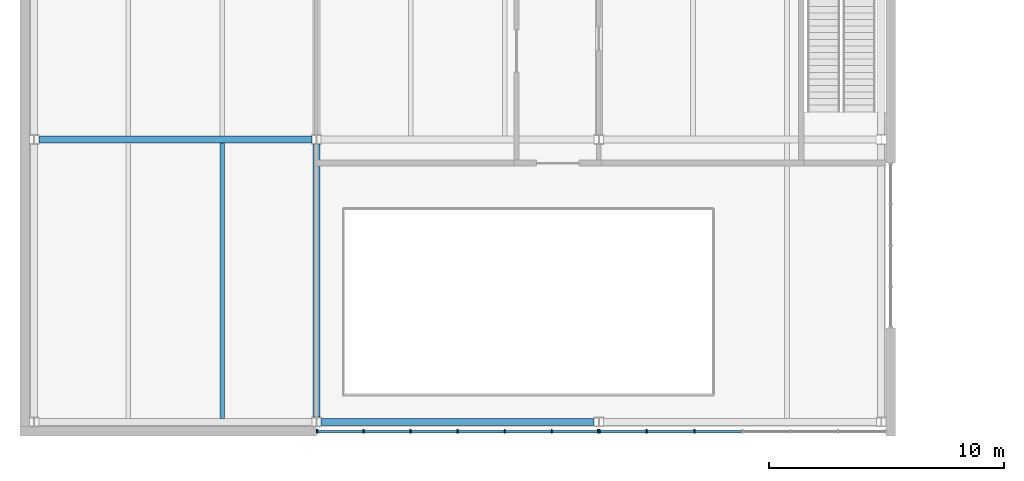
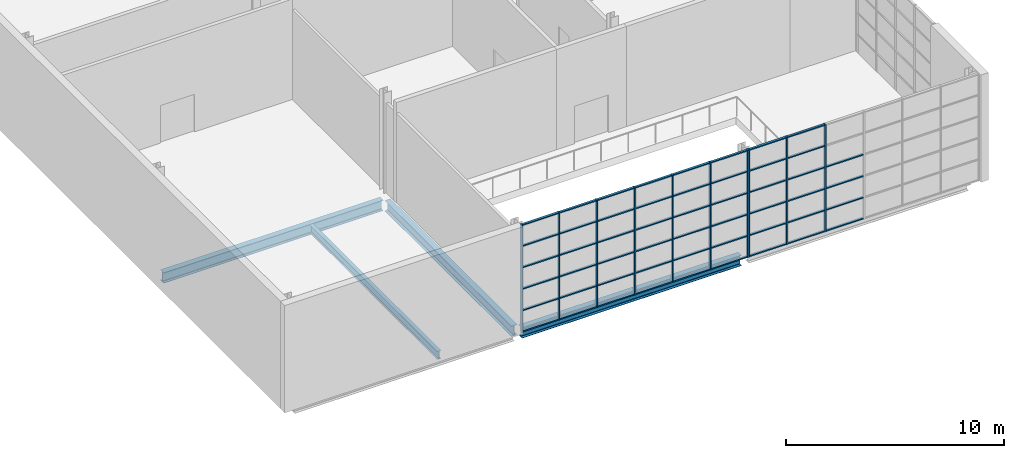
# One storey, part 7 of 30: 62 members, 4 beams, 2 elements without a shape of their own.
"""IFC4 building model written with IfcOpenShell, lengths in metres."""

from ifc_helpers import new_model, si_unit, direction, frame, origin, origin_2d, place, context, subcontext, project, spatial, rectangle, i_section, extrude, material, layer, layer_set, material_profile, profile_set, type_object, element, aggregate, save


model = new_model("IFC4")

# Units and contexts
model_context = context("Model", 3, precision=1e-05, world=origin(), true_north=direction((0.0, 1.0)))
body_context = subcontext(model_context, "Body", "Model", "MODEL_VIEW")
ifc_project = project(units=[si_unit("LENGTHUNIT", "METRE"), si_unit("AREAUNIT", "SQUARE_METRE"), si_unit("VOLUMEUNIT", "CUBIC_METRE"), si_unit("PLANEANGLEUNIT", "RADIAN"), si_unit("MASSUNIT", "GRAM", prefix="KILO")], contexts=[model_context])

# Site, building, storey
site_placement = place(None, origin())
site = spatial("IfcSite", under=ifc_project, at=site_placement, CompositionType="ELEMENT")
building_placement = place(site_placement, origin())
building = spatial("IfcBuilding", under=site, at=building_placement, Name="Kitamizu Gate Tower and Museum", CompositionType="ELEMENT")
storey_placement = place(building_placement, frame((0.0, 0.0, 6.0)))
storey = spatial("IfcBuildingStorey", under=building, at=storey_placement, Name="L01", CompositionType="ELEMENT", Elevation=6.0)

# Curtain wall, members
ifc_material_1 = material(Name="Bronze anodised aluminium frame, tinted triple glazing", Category="aluminium")
ifc_layer = layer(ifc_material_1, 0.39990234375)
ifc_layer_set = layer_set([ifc_layer], Name="Bronze anodised aluminium frame, tinted triple glazing")
curtain_wall_type = type_object("IfcCurtainWallType", Name="Museum atrium curtain wall D", PredefinedType="NOTDEFINED", material=ifc_layer_set)
curtain_wall_1_placement = place(storey_placement, origin())
curtain_wall_1 = element("IfcCurtainWall", 1, at=curtain_wall_1_placement, inside=storey, type_object=curtain_wall_type, Name="Atrium curtain wall Sm14mm2", PredefinedType="NOTDEFINED")
ifc_material_2 = material(Name="Bronze anodised aluminium", Category="aluminium")
ifc_material_profile_1 = material_profile(ifc_material_2, rectangle(XDim=0.06005859375, YDim=0.159912109375, at=origin_2d()), Name="60x160")
ifc_profile_set_1 = profile_set([ifc_material_profile_1], Name="Bronze anodised aluminium")
member_type_1 = type_object("IfcMemberType", Name="Museum curtain wall mullion 60x160", PredefinedType="MULLION", material=ifc_profile_set_1)
member_1_placement = place(storey_placement, frame((-13.969970703125, -26.39990234375, -0.39990234375), z_axis=(0.0, 0.0, 1.0), x_axis=(1.0, 0.0, 0.0)))
member_1 = element("IfcMember", 2, at=member_1_placement, type_object=member_type_1, Name="CW-D mullion 1", PredefinedType="MULLION", context=body_context, shape_type="SweptSolid", body=[
    extrude(rectangle(XDim=0.06005859375, YDim=0.159912109375, at=origin_2d()), origin(), (0.0, 0.0, 1.0), 6.0),
])
member_2_placement = place(storey_placement, frame((-12.0, -26.39990234375, -0.39990234375), z_axis=(0.0, 0.0, 1.0), x_axis=(1.0, 0.0, 0.0)))
member_2 = element("IfcMember", 3, at=member_2_placement, type_object=member_type_1, Name="CW-D mullion 2", PredefinedType="MULLION", context=body_context, shape_type="SweptSolid", body=[
    extrude(rectangle(XDim=0.06005859375, YDim=0.159912109375, at=origin_2d()), origin(), (0.0, 0.0, 1.0), 6.0),
])
member_3_placement = place(storey_placement, frame((-10.0, -26.39990234375, -0.39990234375), z_axis=(0.0, 0.0, 1.0), x_axis=(1.0, 0.0, 0.0)))
member_3 = element("IfcMember", 4, at=member_3_placement, type_object=member_type_1, Name="CW-D mullion 3", PredefinedType="MULLION", context=body_context, shape_type="SweptSolid", body=[
    extrude(rectangle(XDim=0.06005859375, YDim=0.159912109375, at=origin_2d()), origin(), (0.0, 0.0, 1.0), 6.0),
])
member_4_placement = place(storey_placement, frame((-8.0, -26.39990234375, -0.39990234375), z_axis=(0.0, 0.0, 1.0), x_axis=(1.0, 0.0, 0.0)))
member_4 = element("IfcMember", 5, at=member_4_placement, type_object=member_type_1, Name="CW-D mullion 4", PredefinedType="MULLION", context=body_context, shape_type="SweptSolid", body=[
    extrude(rectangle(XDim=0.06005859375, YDim=0.159912109375, at=origin_2d()), origin(), (0.0, 0.0, 1.0), 6.0),
])
member_5_placement = place(storey_placement, frame((-6.0, -26.39990234375, -0.39990234375), z_axis=(0.0, 0.0, 1.0), x_axis=(1.0, 0.0, 0.0)))
member_5 = element("IfcMember", 6, at=member_5_placement, type_object=member_type_1, Name="CW-D mullion 5", PredefinedType="MULLION", context=body_context, shape_type="SweptSolid", body=[
    extrude(rectangle(XDim=0.06005859375, YDim=0.159912109375, at=origin_2d()), origin(), (0.0, 0.0, 1.0), 6.0),
])
member_6_placement = place(storey_placement, frame((-4.0, -26.39990234375, -0.39990234375), z_axis=(0.0, 0.0, 1.0), x_axis=(1.0, 0.0, 0.0)))
member_6 = element("IfcMember", 7, at=member_6_placement, type_object=member_type_1, Name="CW-D mullion 6", PredefinedType="MULLION", context=body_context, shape_type="SweptSolid", body=[
    extrude(rectangle(XDim=0.06005859375, YDim=0.159912109375, at=origin_2d()), origin(), (0.0, 0.0, 1.0), 6.0),
])
member_7_placement = place(storey_placement, frame((-2.030029296875, -26.39990234375, -0.39990234375), z_axis=(0.0, 0.0, 1.0), x_axis=(1.0, 0.0, 0.0)))
member_7 = element("IfcMember", 8, at=member_7_placement, type_object=member_type_1, Name="CW-D mullion 7", PredefinedType="MULLION", context=body_context, shape_type="SweptSolid", body=[
    extrude(rectangle(XDim=0.06005859375, YDim=0.159912109375, at=origin_2d()), origin(), (0.0, 0.0, 1.0), 6.0),
])

curtain_wall_2_placement = place(storey_placement, origin())
curtain_wall_2 = element("IfcCurtainWall", 9, at=curtain_wall_2_placement, inside=storey, type_object=curtain_wall_type, Name="Atrium curtain wall Sm2m10.2", PredefinedType="NOTDEFINED")
member_8_placement = place(storey_placement, frame((-1.969970703125, -26.39990234375, -0.39990234375), z_axis=(0.0, 0.0, 1.0), x_axis=(1.0, 0.0, 0.0)))
member_8 = element("IfcMember", 10, at=member_8_placement, type_object=member_type_1, Name="CW-D mullion 1", PredefinedType="MULLION", context=body_context, shape_type="SweptSolid", body=[
    extrude(rectangle(XDim=0.06005859375, YDim=0.159912109375, at=origin_2d()), origin(), (0.0, 0.0, 1.0), 6.0),
])
member_9_placement = place(storey_placement, frame((0.033447265625, -26.39990234375, -0.39990234375), z_axis=(0.0, 0.0, 1.0), x_axis=(1.0, 0.0, 0.0)))
member_9 = element("IfcMember", 11, at=member_9_placement, type_object=member_type_1, Name="CW-D mullion 2", PredefinedType="MULLION", context=body_context, shape_type="SweptSolid", body=[
    extrude(rectangle(XDim=0.06005859375, YDim=0.159912109375, at=origin_2d()), origin(), (0.0, 0.0, 1.0), 6.0),
])
member_10_placement = place(storey_placement, frame((2.066650390625, -26.39990234375, -0.39990234375), z_axis=(0.0, 0.0, 1.0), x_axis=(1.0, 0.0, 0.0)))
member_10 = element("IfcMember", 12, at=member_10_placement, type_object=member_type_1, Name="CW-D mullion 3", PredefinedType="MULLION", context=body_context, shape_type="SweptSolid", body=[
    extrude(rectangle(XDim=0.06005859375, YDim=0.159912109375, at=origin_2d()), origin(), (0.0, 0.0, 1.0), 6.0),
])

# Member
ifc_material_3 = material(Name="Bronze anodised aluminium", Category="aluminium")
ifc_material_profile_2 = material_profile(ifc_material_3, rectangle(XDim=0.1201171875, YDim=0.06005859375, at=origin_2d()), Name="120x60")
ifc_profile_set_2 = profile_set([ifc_material_profile_2], Name="Bronze anodised aluminium")
member_type_2 = type_object("IfcMemberType", Name="Museum curtain wall transom 60x120", PredefinedType="USERDEFINED", material=ifc_profile_set_2)
member_11_placement = place(storey_placement, frame((-13.93994140625, -26.39990234375, -0.3701171875), z_axis=(1.0, 0.0, 0.0), x_axis=(0.0, 1.0, 0.0)))
member_11 = element("IfcMember", 13, at=member_11_placement, type_object=member_type_2, Name="CW-D transom 1.1", ObjectType="TRANSOM", PredefinedType="USERDEFINED", context=body_context, shape_type="SweptSolid", body=[
    extrude(rectangle(XDim=0.1201171875, YDim=0.06005859375, at=origin_2d()), origin(), (0.0, 0.0, 1.0), 1.909912109375),
])

member_12_placement = place(storey_placement, frame((-13.93994140625, -26.39990234375, 0.800048828125), z_axis=(1.0, 0.0, 0.0), x_axis=(0.0, 1.0, 0.0)))
member_12 = element("IfcMember", 14, at=member_12_placement, type_object=member_type_2, Name="CW-D transom 1.2", ObjectType="TRANSOM", PredefinedType="USERDEFINED", context=body_context, shape_type="SweptSolid", body=[
    extrude(rectangle(XDim=0.1201171875, YDim=0.06005859375, at=origin_2d()), origin(), (0.0, 0.0, 1.0), 1.909912109375),
])

member_13_placement = place(storey_placement, frame((-13.93994140625, -26.39990234375, 2.0), z_axis=(1.0, 0.0, 0.0), x_axis=(0.0, 1.0, 0.0)))
member_13 = element("IfcMember", 15, at=member_13_placement, type_object=member_type_2, Name="CW-D transom 1.3", ObjectType="TRANSOM", PredefinedType="USERDEFINED", context=body_context, shape_type="SweptSolid", body=[
    extrude(rectangle(XDim=0.1201171875, YDim=0.06005859375, at=origin_2d()), origin(), (0.0, 0.0, 1.0), 1.909912109375),
])

member_14_placement = place(storey_placement, frame((-13.93994140625, -26.39990234375, 3.199951171875), z_axis=(1.0, 0.0, 0.0), x_axis=(0.0, 1.0, 0.0)))
member_14 = element("IfcMember", 16, at=member_14_placement, type_object=member_type_2, Name="CW-D transom 1.4", ObjectType="TRANSOM", PredefinedType="USERDEFINED", context=body_context, shape_type="SweptSolid", body=[
    extrude(rectangle(XDim=0.1201171875, YDim=0.06005859375, at=origin_2d()), origin(), (0.0, 0.0, 1.0), 1.909912109375),
])

member_15_placement = place(storey_placement, frame((-13.93994140625, -26.39990234375, 4.39990234375), z_axis=(1.0, 0.0, 0.0), x_axis=(0.0, 1.0, 0.0)))
member_15 = element("IfcMember", 17, at=member_15_placement, type_object=member_type_2, Name="CW-D transom 1.5", ObjectType="TRANSOM", PredefinedType="USERDEFINED", context=body_context, shape_type="SweptSolid", body=[
    extrude(rectangle(XDim=0.1201171875, YDim=0.06005859375, at=origin_2d()), origin(), (0.0, 0.0, 1.0), 1.909912109375),
])

member_16_placement = place(storey_placement, frame((-13.93994140625, -26.39990234375, 5.570068359375), z_axis=(1.0, 0.0, 0.0), x_axis=(0.0, 1.0, 0.0)))
member_16 = element("IfcMember", 18, at=member_16_placement, type_object=member_type_2, Name="CW-D transom 1.6", ObjectType="TRANSOM", PredefinedType="USERDEFINED", context=body_context, shape_type="SweptSolid", body=[
    extrude(rectangle(XDim=0.1201171875, YDim=0.06005859375, at=origin_2d()), origin(), (0.0, 0.0, 1.0), 1.909912109375),
])

member_17_placement = place(storey_placement, frame((-11.969970703125, -26.39990234375, -0.3701171875), z_axis=(1.0, 0.0, 0.0), x_axis=(0.0, 1.0, 0.0)))
member_17 = element("IfcMember", 19, at=member_17_placement, type_object=member_type_2, Name="CW-D transom 2.1", ObjectType="TRANSOM", PredefinedType="USERDEFINED", context=body_context, shape_type="SweptSolid", body=[
    extrude(rectangle(XDim=0.1201171875, YDim=0.06005859375, at=origin_2d()), origin(), (0.0, 0.0, 1.0), 1.93994140625),
])

member_18_placement = place(storey_placement, frame((-11.969970703125, -26.39990234375, 0.800048828125), z_axis=(1.0, 0.0, 0.0), x_axis=(0.0, 1.0, 0.0)))
member_18 = element("IfcMember", 20, at=member_18_placement, type_object=member_type_2, Name="CW-D transom 2.2", ObjectType="TRANSOM", PredefinedType="USERDEFINED", context=body_context, shape_type="SweptSolid", body=[
    extrude(rectangle(XDim=0.1201171875, YDim=0.06005859375, at=origin_2d()), origin(), (0.0, 0.0, 1.0), 1.93994140625),
])

member_19_placement = place(storey_placement, frame((-11.969970703125, -26.39990234375, 2.0), z_axis=(1.0, 0.0, 0.0), x_axis=(0.0, 1.0, 0.0)))
member_19 = element("IfcMember", 21, at=member_19_placement, type_object=member_type_2, Name="CW-D transom 2.3", ObjectType="TRANSOM", PredefinedType="USERDEFINED", context=body_context, shape_type="SweptSolid", body=[
    extrude(rectangle(XDim=0.1201171875, YDim=0.06005859375, at=origin_2d()), origin(), (0.0, 0.0, 1.0), 1.93994140625),
])

member_20_placement = place(storey_placement, frame((-11.969970703125, -26.39990234375, 3.199951171875), z_axis=(1.0, 0.0, 0.0), x_axis=(0.0, 1.0, 0.0)))
member_20 = element("IfcMember", 22, at=member_20_placement, type_object=member_type_2, Name="CW-D transom 2.4", ObjectType="TRANSOM", PredefinedType="USERDEFINED", context=body_context, shape_type="SweptSolid", body=[
    extrude(rectangle(XDim=0.1201171875, YDim=0.06005859375, at=origin_2d()), origin(), (0.0, 0.0, 1.0), 1.93994140625),
])

member_21_placement = place(storey_placement, frame((-11.969970703125, -26.39990234375, 4.39990234375), z_axis=(1.0, 0.0, 0.0), x_axis=(0.0, 1.0, 0.0)))
member_21 = element("IfcMember", 23, at=member_21_placement, type_object=member_type_2, Name="CW-D transom 2.5", ObjectType="TRANSOM", PredefinedType="USERDEFINED", context=body_context, shape_type="SweptSolid", body=[
    extrude(rectangle(XDim=0.1201171875, YDim=0.06005859375, at=origin_2d()), origin(), (0.0, 0.0, 1.0), 1.93994140625),
])

member_22_placement = place(storey_placement, frame((-11.969970703125, -26.39990234375, 5.570068359375), z_axis=(1.0, 0.0, 0.0), x_axis=(0.0, 1.0, 0.0)))
member_22 = element("IfcMember", 24, at=member_22_placement, type_object=member_type_2, Name="CW-D transom 2.6", ObjectType="TRANSOM", PredefinedType="USERDEFINED", context=body_context, shape_type="SweptSolid", body=[
    extrude(rectangle(XDim=0.1201171875, YDim=0.06005859375, at=origin_2d()), origin(), (0.0, 0.0, 1.0), 1.93994140625),
])

member_23_placement = place(storey_placement, frame((-9.969970703125, -26.39990234375, -0.3701171875), z_axis=(1.0, 0.0, 0.0), x_axis=(0.0, 1.0, 0.0)))
member_23 = element("IfcMember", 25, at=member_23_placement, type_object=member_type_2, Name="CW-D transom 3.1", ObjectType="TRANSOM", PredefinedType="USERDEFINED", context=body_context, shape_type="SweptSolid", body=[
    extrude(rectangle(XDim=0.1201171875, YDim=0.06005859375, at=origin_2d()), origin(), (0.0, 0.0, 1.0), 1.93994140625),
])

member_24_placement = place(storey_placement, frame((-9.969970703125, -26.39990234375, 0.800048828125), z_axis=(1.0, 0.0, 0.0), x_axis=(0.0, 1.0, 0.0)))
member_24 = element("IfcMember", 26, at=member_24_placement, type_object=member_type_2, Name="CW-D transom 3.2", ObjectType="TRANSOM", PredefinedType="USERDEFINED", context=body_context, shape_type="SweptSolid", body=[
    extrude(rectangle(XDim=0.1201171875, YDim=0.06005859375, at=origin_2d()), origin(), (0.0, 0.0, 1.0), 1.93994140625),
])

member_25_placement = place(storey_placement, frame((-9.969970703125, -26.39990234375, 2.0), z_axis=(1.0, 0.0, 0.0), x_axis=(0.0, 1.0, 0.0)))
member_25 = element("IfcMember", 27, at=member_25_placement, type_object=member_type_2, Name="CW-D transom 3.3", ObjectType="TRANSOM", PredefinedType="USERDEFINED", context=body_context, shape_type="SweptSolid", body=[
    extrude(rectangle(XDim=0.1201171875, YDim=0.06005859375, at=origin_2d()), origin(), (0.0, 0.0, 1.0), 1.93994140625),
])

member_26_placement = place(storey_placement, frame((-9.969970703125, -26.39990234375, 3.199951171875), z_axis=(1.0, 0.0, 0.0), x_axis=(0.0, 1.0, 0.0)))
member_26 = element("IfcMember", 28, at=member_26_placement, type_object=member_type_2, Name="CW-D transom 3.4", ObjectType="TRANSOM", PredefinedType="USERDEFINED", context=body_context, shape_type="SweptSolid", body=[
    extrude(rectangle(XDim=0.1201171875, YDim=0.06005859375, at=origin_2d()), origin(), (0.0, 0.0, 1.0), 1.93994140625),
])

member_27_placement = place(storey_placement, frame((-9.969970703125, -26.39990234375, 4.39990234375), z_axis=(1.0, 0.0, 0.0), x_axis=(0.0, 1.0, 0.0)))
member_27 = element("IfcMember", 29, at=member_27_placement, type_object=member_type_2, Name="CW-D transom 3.5", ObjectType="TRANSOM", PredefinedType="USERDEFINED", context=body_context, shape_type="SweptSolid", body=[
    extrude(rectangle(XDim=0.1201171875, YDim=0.06005859375, at=origin_2d()), origin(), (0.0, 0.0, 1.0), 1.93994140625),
])

member_28_placement = place(storey_placement, frame((-9.969970703125, -26.39990234375, 5.570068359375), z_axis=(1.0, 0.0, 0.0), x_axis=(0.0, 1.0, 0.0)))
member_28 = element("IfcMember", 30, at=member_28_placement, type_object=member_type_2, Name="CW-D transom 3.6", ObjectType="TRANSOM", PredefinedType="USERDEFINED", context=body_context, shape_type="SweptSolid", body=[
    extrude(rectangle(XDim=0.1201171875, YDim=0.06005859375, at=origin_2d()), origin(), (0.0, 0.0, 1.0), 1.93994140625),
])

member_29_placement = place(storey_placement, frame((-7.969970703125, -26.39990234375, -0.3701171875), z_axis=(1.0, 0.0, 0.0), x_axis=(0.0, 1.0, 0.0)))
member_29 = element("IfcMember", 31, at=member_29_placement, type_object=member_type_2, Name="CW-D transom 4.1", ObjectType="TRANSOM", PredefinedType="USERDEFINED", context=body_context, shape_type="SweptSolid", body=[
    extrude(rectangle(XDim=0.1201171875, YDim=0.06005859375, at=origin_2d()), origin(), (0.0, 0.0, 1.0), 1.93994140625),
])

member_30_placement = place(storey_placement, frame((-7.969970703125, -26.39990234375, 0.800048828125), z_axis=(1.0, 0.0, 0.0), x_axis=(0.0, 1.0, 0.0)))
member_30 = element("IfcMember", 32, at=member_30_placement, type_object=member_type_2, Name="CW-D transom 4.2", ObjectType="TRANSOM", PredefinedType="USERDEFINED", context=body_context, shape_type="SweptSolid", body=[
    extrude(rectangle(XDim=0.1201171875, YDim=0.06005859375, at=origin_2d()), origin(), (0.0, 0.0, 1.0), 1.93994140625),
])

member_31_placement = place(storey_placement, frame((-7.969970703125, -26.39990234375, 2.0), z_axis=(1.0, 0.0, 0.0), x_axis=(0.0, 1.0, 0.0)))
member_31 = element("IfcMember", 33, at=member_31_placement, type_object=member_type_2, Name="CW-D transom 4.3", ObjectType="TRANSOM", PredefinedType="USERDEFINED", context=body_context, shape_type="SweptSolid", body=[
    extrude(rectangle(XDim=0.1201171875, YDim=0.06005859375, at=origin_2d()), origin(), (0.0, 0.0, 1.0), 1.93994140625),
])

member_32_placement = place(storey_placement, frame((-7.969970703125, -26.39990234375, 3.199951171875), z_axis=(1.0, 0.0, 0.0), x_axis=(0.0, 1.0, 0.0)))
member_32 = element("IfcMember", 34, at=member_32_placement, type_object=member_type_2, Name="CW-D transom 4.4", ObjectType="TRANSOM", PredefinedType="USERDEFINED", context=body_context, shape_type="SweptSolid", body=[
    extrude(rectangle(XDim=0.1201171875, YDim=0.06005859375, at=origin_2d()), origin(), (0.0, 0.0, 1.0), 1.93994140625),
])

member_33_placement = place(storey_placement, frame((-7.969970703125, -26.39990234375, 4.39990234375), z_axis=(1.0, 0.0, 0.0), x_axis=(0.0, 1.0, 0.0)))
member_33 = element("IfcMember", 35, at=member_33_placement, type_object=member_type_2, Name="CW-D transom 4.5", ObjectType="TRANSOM", PredefinedType="USERDEFINED", context=body_context, shape_type="SweptSolid", body=[
    extrude(rectangle(XDim=0.1201171875, YDim=0.06005859375, at=origin_2d()), origin(), (0.0, 0.0, 1.0), 1.93994140625),
])

member_34_placement = place(storey_placement, frame((-7.969970703125, -26.39990234375, 5.570068359375), z_axis=(1.0, 0.0, 0.0), x_axis=(0.0, 1.0, 0.0)))
member_34 = element("IfcMember", 36, at=member_34_placement, type_object=member_type_2, Name="CW-D transom 4.6", ObjectType="TRANSOM", PredefinedType="USERDEFINED", context=body_context, shape_type="SweptSolid", body=[
    extrude(rectangle(XDim=0.1201171875, YDim=0.06005859375, at=origin_2d()), origin(), (0.0, 0.0, 1.0), 1.93994140625),
])

member_35_placement = place(storey_placement, frame((-5.969970703125, -26.39990234375, -0.3701171875), z_axis=(1.0, 0.0, 0.0), x_axis=(0.0, 1.0, 0.0)))
member_35 = element("IfcMember", 37, at=member_35_placement, type_object=member_type_2, Name="CW-D transom 5.1", ObjectType="TRANSOM", PredefinedType="USERDEFINED", context=body_context, shape_type="SweptSolid", body=[
    extrude(rectangle(XDim=0.1201171875, YDim=0.06005859375, at=origin_2d()), origin(), (0.0, 0.0, 1.0), 1.93994140625),
])

member_36_placement = place(storey_placement, frame((-5.969970703125, -26.39990234375, 0.800048828125), z_axis=(1.0, 0.0, 0.0), x_axis=(0.0, 1.0, 0.0)))
member_36 = element("IfcMember", 38, at=member_36_placement, type_object=member_type_2, Name="CW-D transom 5.2", ObjectType="TRANSOM", PredefinedType="USERDEFINED", context=body_context, shape_type="SweptSolid", body=[
    extrude(rectangle(XDim=0.1201171875, YDim=0.06005859375, at=origin_2d()), origin(), (0.0, 0.0, 1.0), 1.93994140625),
])

member_37_placement = place(storey_placement, frame((-5.969970703125, -26.39990234375, 2.0), z_axis=(1.0, 0.0, 0.0), x_axis=(0.0, 1.0, 0.0)))
member_37 = element("IfcMember", 39, at=member_37_placement, type_object=member_type_2, Name="CW-D transom 5.3", ObjectType="TRANSOM", PredefinedType="USERDEFINED", context=body_context, shape_type="SweptSolid", body=[
    extrude(rectangle(XDim=0.1201171875, YDim=0.06005859375, at=origin_2d()), origin(), (0.0, 0.0, 1.0), 1.93994140625),
])

member_38_placement = place(storey_placement, frame((-5.969970703125, -26.39990234375, 3.199951171875), z_axis=(1.0, 0.0, 0.0), x_axis=(0.0, 1.0, 0.0)))
member_38 = element("IfcMember", 40, at=member_38_placement, type_object=member_type_2, Name="CW-D transom 5.4", ObjectType="TRANSOM", PredefinedType="USERDEFINED", context=body_context, shape_type="SweptSolid", body=[
    extrude(rectangle(XDim=0.1201171875, YDim=0.06005859375, at=origin_2d()), origin(), (0.0, 0.0, 1.0), 1.93994140625),
])

member_39_placement = place(storey_placement, frame((-5.969970703125, -26.39990234375, 4.39990234375), z_axis=(1.0, 0.0, 0.0), x_axis=(0.0, 1.0, 0.0)))
member_39 = element("IfcMember", 41, at=member_39_placement, type_object=member_type_2, Name="CW-D transom 5.5", ObjectType="TRANSOM", PredefinedType="USERDEFINED", context=body_context, shape_type="SweptSolid", body=[
    extrude(rectangle(XDim=0.1201171875, YDim=0.06005859375, at=origin_2d()), origin(), (0.0, 0.0, 1.0), 1.93994140625),
])

member_40_placement = place(storey_placement, frame((-5.969970703125, -26.39990234375, 5.570068359375), z_axis=(1.0, 0.0, 0.0), x_axis=(0.0, 1.0, 0.0)))
member_40 = element("IfcMember", 42, at=member_40_placement, type_object=member_type_2, Name="CW-D transom 5.6", ObjectType="TRANSOM", PredefinedType="USERDEFINED", context=body_context, shape_type="SweptSolid", body=[
    extrude(rectangle(XDim=0.1201171875, YDim=0.06005859375, at=origin_2d()), origin(), (0.0, 0.0, 1.0), 1.93994140625),
])

member_41_placement = place(storey_placement, frame((-3.969970703125, -26.39990234375, -0.3701171875), z_axis=(1.0, 0.0, 0.0), x_axis=(0.0, 1.0, 0.0)))
member_41 = element("IfcMember", 43, at=member_41_placement, type_object=member_type_2, Name="CW-D transom 6.1", ObjectType="TRANSOM", PredefinedType="USERDEFINED", context=body_context, shape_type="SweptSolid", body=[
    extrude(rectangle(XDim=0.1201171875, YDim=0.06005859375, at=origin_2d()), origin(), (0.0, 0.0, 1.0), 1.909912109375),
])

member_42_placement = place(storey_placement, frame((-3.969970703125, -26.39990234375, 0.800048828125), z_axis=(1.0, 0.0, 0.0), x_axis=(0.0, 1.0, 0.0)))
member_42 = element("IfcMember", 44, at=member_42_placement, type_object=member_type_2, Name="CW-D transom 6.2", ObjectType="TRANSOM", PredefinedType="USERDEFINED", context=body_context, shape_type="SweptSolid", body=[
    extrude(rectangle(XDim=0.1201171875, YDim=0.06005859375, at=origin_2d()), origin(), (0.0, 0.0, 1.0), 1.909912109375),
])

member_43_placement = place(storey_placement, frame((-3.969970703125, -26.39990234375, 2.0), z_axis=(1.0, 0.0, 0.0), x_axis=(0.0, 1.0, 0.0)))
member_43 = element("IfcMember", 45, at=member_43_placement, type_object=member_type_2, Name="CW-D transom 6.3", ObjectType="TRANSOM", PredefinedType="USERDEFINED", context=body_context, shape_type="SweptSolid", body=[
    extrude(rectangle(XDim=0.1201171875, YDim=0.06005859375, at=origin_2d()), origin(), (0.0, 0.0, 1.0), 1.909912109375),
])

member_44_placement = place(storey_placement, frame((-3.969970703125, -26.39990234375, 3.199951171875), z_axis=(1.0, 0.0, 0.0), x_axis=(0.0, 1.0, 0.0)))
member_44 = element("IfcMember", 46, at=member_44_placement, type_object=member_type_2, Name="CW-D transom 6.4", ObjectType="TRANSOM", PredefinedType="USERDEFINED", context=body_context, shape_type="SweptSolid", body=[
    extrude(rectangle(XDim=0.1201171875, YDim=0.06005859375, at=origin_2d()), origin(), (0.0, 0.0, 1.0), 1.909912109375),
])

member_45_placement = place(storey_placement, frame((-3.969970703125, -26.39990234375, 4.39990234375), z_axis=(1.0, 0.0, 0.0), x_axis=(0.0, 1.0, 0.0)))
member_45 = element("IfcMember", 47, at=member_45_placement, type_object=member_type_2, Name="CW-D transom 6.5", ObjectType="TRANSOM", PredefinedType="USERDEFINED", context=body_context, shape_type="SweptSolid", body=[
    extrude(rectangle(XDim=0.1201171875, YDim=0.06005859375, at=origin_2d()), origin(), (0.0, 0.0, 1.0), 1.909912109375),
])

member_46_placement = place(storey_placement, frame((-3.969970703125, -26.39990234375, 5.570068359375), z_axis=(1.0, 0.0, 0.0), x_axis=(0.0, 1.0, 0.0)))
member_46 = element("IfcMember", 48, at=member_46_placement, type_object=member_type_2, Name="CW-D transom 6.6", ObjectType="TRANSOM", PredefinedType="USERDEFINED", context=body_context, shape_type="SweptSolid", body=[
    extrude(rectangle(XDim=0.1201171875, YDim=0.06005859375, at=origin_2d()), origin(), (0.0, 0.0, 1.0), 1.909912109375),
])

aggregate(curtain_wall_1, [member_1, member_2, member_3, member_4, member_5, member_6, member_7, member_11, member_12, member_13, member_14, member_15, member_16, member_17, member_18, member_19, member_20, member_21, member_22, member_23, member_24, member_25, member_26, member_27, member_28, member_29, member_30, member_31, member_32, member_33, member_34, member_35, member_36, member_37, member_38, member_39, member_40, member_41, member_42, member_43, member_44, member_45, member_46])

member_47_placement = place(storey_placement, frame((-1.93994140625, -26.39990234375, -0.3701171875), z_axis=(1.0, 0.0, 0.0), x_axis=(0.0, 1.0, 0.0)))
member_47 = element("IfcMember", 49, at=member_47_placement, type_object=member_type_2, Name="CW-D transom 1.1", ObjectType="TRANSOM", PredefinedType="USERDEFINED", context=body_context, shape_type="SweptSolid", body=[
    extrude(rectangle(XDim=0.1201171875, YDim=0.06005859375, at=origin_2d()), origin(), (0.0, 0.0, 1.0), 1.943359375),
])

member_48_placement = place(storey_placement, frame((-1.93994140625, -26.39990234375, 0.800048828125), z_axis=(1.0, 0.0, 0.0), x_axis=(0.0, 1.0, 0.0)))
member_48 = element("IfcMember", 50, at=member_48_placement, type_object=member_type_2, Name="CW-D transom 1.2", ObjectType="TRANSOM", PredefinedType="USERDEFINED", context=body_context, shape_type="SweptSolid", body=[
    extrude(rectangle(XDim=0.1201171875, YDim=0.06005859375, at=origin_2d()), origin(), (0.0, 0.0, 1.0), 1.943359375),
])

member_49_placement = place(storey_placement, frame((-1.93994140625, -26.39990234375, 2.0), z_axis=(1.0, 0.0, 0.0), x_axis=(0.0, 1.0, 0.0)))
member_49 = element("IfcMember", 51, at=member_49_placement, type_object=member_type_2, Name="CW-D transom 1.3", ObjectType="TRANSOM", PredefinedType="USERDEFINED", context=body_context, shape_type="SweptSolid", body=[
    extrude(rectangle(XDim=0.1201171875, YDim=0.06005859375, at=origin_2d()), origin(), (0.0, 0.0, 1.0), 1.943359375),
])

member_50_placement = place(storey_placement, frame((-1.93994140625, -26.39990234375, 3.199951171875), z_axis=(1.0, 0.0, 0.0), x_axis=(0.0, 1.0, 0.0)))
member_50 = element("IfcMember", 52, at=member_50_placement, type_object=member_type_2, Name="CW-D transom 1.4", ObjectType="TRANSOM", PredefinedType="USERDEFINED", context=body_context, shape_type="SweptSolid", body=[
    extrude(rectangle(XDim=0.1201171875, YDim=0.06005859375, at=origin_2d()), origin(), (0.0, 0.0, 1.0), 1.943359375),
])

member_51_placement = place(storey_placement, frame((-1.93994140625, -26.39990234375, 4.39990234375), z_axis=(1.0, 0.0, 0.0), x_axis=(0.0, 1.0, 0.0)))
member_51 = element("IfcMember", 53, at=member_51_placement, type_object=member_type_2, Name="CW-D transom 1.5", ObjectType="TRANSOM", PredefinedType="USERDEFINED", context=body_context, shape_type="SweptSolid", body=[
    extrude(rectangle(XDim=0.1201171875, YDim=0.06005859375, at=origin_2d()), origin(), (0.0, 0.0, 1.0), 1.943359375),
])

member_52_placement = place(storey_placement, frame((-1.93994140625, -26.39990234375, 5.570068359375), z_axis=(1.0, 0.0, 0.0), x_axis=(0.0, 1.0, 0.0)))
member_52 = element("IfcMember", 54, at=member_52_placement, type_object=member_type_2, Name="CW-D transom 1.6", ObjectType="TRANSOM", PredefinedType="USERDEFINED", context=body_context, shape_type="SweptSolid", body=[
    extrude(rectangle(XDim=0.1201171875, YDim=0.06005859375, at=origin_2d()), origin(), (0.0, 0.0, 1.0), 1.943359375),
])

member_53_placement = place(storey_placement, frame((0.063232421875, -26.39990234375, -0.3701171875), z_axis=(1.0, 0.0, 0.0), x_axis=(0.0, 1.0, 0.0)))
member_53 = element("IfcMember", 55, at=member_53_placement, type_object=member_type_2, Name="CW-D transom 2.1", ObjectType="TRANSOM", PredefinedType="USERDEFINED", context=body_context, shape_type="SweptSolid", body=[
    extrude(rectangle(XDim=0.1201171875, YDim=0.06005859375, at=origin_2d()), origin(), (0.0, 0.0, 1.0), 1.973388671875),
])

member_54_placement = place(storey_placement, frame((0.063232421875, -26.39990234375, 0.800048828125), z_axis=(1.0, 0.0, 0.0), x_axis=(0.0, 1.0, 0.0)))
member_54 = element("IfcMember", 56, at=member_54_placement, type_object=member_type_2, Name="CW-D transom 2.2", ObjectType="TRANSOM", PredefinedType="USERDEFINED", context=body_context, shape_type="SweptSolid", body=[
    extrude(rectangle(XDim=0.1201171875, YDim=0.06005859375, at=origin_2d()), origin(), (0.0, 0.0, 1.0), 1.973388671875),
])

member_55_placement = place(storey_placement, frame((0.063232421875, -26.39990234375, 2.0), z_axis=(1.0, 0.0, 0.0), x_axis=(0.0, 1.0, 0.0)))
member_55 = element("IfcMember", 57, at=member_55_placement, type_object=member_type_2, Name="CW-D transom 2.3", ObjectType="TRANSOM", PredefinedType="USERDEFINED", context=body_context, shape_type="SweptSolid", body=[
    extrude(rectangle(XDim=0.1201171875, YDim=0.06005859375, at=origin_2d()), origin(), (0.0, 0.0, 1.0), 1.973388671875),
])

member_56_placement = place(storey_placement, frame((0.063232421875, -26.39990234375, 3.199951171875), z_axis=(1.0, 0.0, 0.0), x_axis=(0.0, 1.0, 0.0)))
member_56 = element("IfcMember", 58, at=member_56_placement, type_object=member_type_2, Name="CW-D transom 2.4", ObjectType="TRANSOM", PredefinedType="USERDEFINED", context=body_context, shape_type="SweptSolid", body=[
    extrude(rectangle(XDim=0.1201171875, YDim=0.06005859375, at=origin_2d()), origin(), (0.0, 0.0, 1.0), 1.973388671875),
])

member_57_placement = place(storey_placement, frame((0.063232421875, -26.39990234375, 4.39990234375), z_axis=(1.0, 0.0, 0.0), x_axis=(0.0, 1.0, 0.0)))
member_57 = element("IfcMember", 59, at=member_57_placement, type_object=member_type_2, Name="CW-D transom 2.5", ObjectType="TRANSOM", PredefinedType="USERDEFINED", context=body_context, shape_type="SweptSolid", body=[
    extrude(rectangle(XDim=0.1201171875, YDim=0.06005859375, at=origin_2d()), origin(), (0.0, 0.0, 1.0), 1.973388671875),
])

member_58_placement = place(storey_placement, frame((0.063232421875, -26.39990234375, 5.570068359375), z_axis=(1.0, 0.0, 0.0), x_axis=(0.0, 1.0, 0.0)))
member_58 = element("IfcMember", 60, at=member_58_placement, type_object=member_type_2, Name="CW-D transom 2.6", ObjectType="TRANSOM", PredefinedType="USERDEFINED", context=body_context, shape_type="SweptSolid", body=[
    extrude(rectangle(XDim=0.1201171875, YDim=0.06005859375, at=origin_2d()), origin(), (0.0, 0.0, 1.0), 1.973388671875),
])

member_59_placement = place(storey_placement, frame((2.0966796875, -26.39990234375, -0.3701171875), z_axis=(1.0, 0.0, 0.0), x_axis=(0.0, 1.0, 0.0)))
member_59 = element("IfcMember", 61, at=member_59_placement, type_object=member_type_2, Name="CW-D transom 3.1", ObjectType="TRANSOM", PredefinedType="USERDEFINED", context=body_context, shape_type="SweptSolid", body=[
    extrude(rectangle(XDim=0.1201171875, YDim=0.06005859375, at=origin_2d()), origin(), (0.0, 0.0, 1.0), 1.973388671875),
])

member_60_placement = place(storey_placement, frame((2.0966796875, -26.39990234375, 0.800048828125), z_axis=(1.0, 0.0, 0.0), x_axis=(0.0, 1.0, 0.0)))
member_60 = element("IfcMember", 62, at=member_60_placement, type_object=member_type_2, Name="CW-D transom 3.2", ObjectType="TRANSOM", PredefinedType="USERDEFINED", context=body_context, shape_type="SweptSolid", body=[
    extrude(rectangle(XDim=0.1201171875, YDim=0.06005859375, at=origin_2d()), origin(), (0.0, 0.0, 1.0), 1.973388671875),
])

member_61_placement = place(storey_placement, frame((2.0966796875, -26.39990234375, 2.0), z_axis=(1.0, 0.0, 0.0), x_axis=(0.0, 1.0, 0.0)))
member_61 = element("IfcMember", 63, at=member_61_placement, type_object=member_type_2, Name="CW-D transom 3.3", ObjectType="TRANSOM", PredefinedType="USERDEFINED", context=body_context, shape_type="SweptSolid", body=[
    extrude(rectangle(XDim=0.1201171875, YDim=0.06005859375, at=origin_2d()), origin(), (0.0, 0.0, 1.0), 1.973388671875),
])

member_62_placement = place(storey_placement, frame((2.0966796875, -26.39990234375, 3.199951171875), z_axis=(1.0, 0.0, 0.0), x_axis=(0.0, 1.0, 0.0)))
member_62 = element("IfcMember", 64, at=member_62_placement, type_object=member_type_2, Name="CW-D transom 3.4", ObjectType="TRANSOM", PredefinedType="USERDEFINED", context=body_context, shape_type="SweptSolid", body=[
    extrude(rectangle(XDim=0.1201171875, YDim=0.06005859375, at=origin_2d()), origin(), (0.0, 0.0, 1.0), 1.973388671875),
])

aggregate(curtain_wall_2, [member_8, member_9, member_10, member_47, member_48, member_49, member_50, member_51, member_52, member_53, member_54, member_55, member_56, member_57, member_58, member_59, member_60, member_61, member_62])

# Beams
ifc_material_4 = material(Name="Steel SS400", Category="steel")
ifc_material_profile_3 = material_profile(ifc_material_4, i_section(OverallWidth=0.300048828125, OverallDepth=0.587890625, WebThickness=0.011962890625, FlangeThickness=0.02001953125, FilletRadius=0.028076171875, at=origin_2d()), Name="H-588x300x12x20")
ifc_profile_set_3 = profile_set([ifc_material_profile_3], Name="Steel SS400")
beam_type_1 = type_object("IfcBeamType", Name="Museum girder H 588x300x12x20", PredefinedType="BEAM", material=ifc_profile_set_3)
for number, where, z_axis, x_axis, name in (
    (65, (-25.800048828125, -14.0, -0.694091796875), (1.0, 0.0, 0.0), (0.0, 1.0, 0.0), "Girder xM1M2MB"),
    (66, (-13.800048828125, -26.0, -0.694091796875), (1.0, 0.0, 0.0), (0.0, 1.0, 0.0), "Girder xM2M3MA"),
    (67, (-14.0, -25.800048828125, -0.694091796875), (0.0, 1.0, 0.0), (-1.0, 0.0, 0.0), "Girder yM2MAMB"),
):
    element("IfcBeam", number, at=place(storey_placement, frame(where, z_axis=z_axis, x_axis=x_axis)), inside=storey, type_object=beam_type_1, Name=name, PredefinedType="BEAM", context=body_context, shape_type="SweptSolid", body=[
        extrude(i_section(OverallWidth=0.300048828125, OverallDepth=0.587890625, WebThickness=0.011962890625, FlangeThickness=0.02001953125, FilletRadius=0.028076171875, at=origin_2d()), origin(), (0.0, 0.0, 1.0), 11.60009765625),
    ])
ifc_material_5 = material(Name="Steel SS400", Category="steel")
ifc_material_profile_4 = material_profile(ifc_material_5, i_section(OverallWidth=0.199951171875, OverallDepth=0.449951171875, WebThickness=0.009033203125, FlangeThickness=0.013916015625, FilletRadius=0.01806640625, at=origin_2d()), Name="H-450x200x9x14")
ifc_profile_set_4 = profile_set([ifc_material_profile_4], Name="Steel SS400")
beam_type_2 = type_object("IfcBeamType", Name="Museum secondary beam H 450x200x9x14", PredefinedType="JOIST", material=ifc_profile_set_4)
beam_placement = place(storey_placement, frame((-18.0, -25.85009765625, -0.625), z_axis=(0.0, 1.0, 0.0), x_axis=(-1.0, 0.0, 0.0)))
element("IfcBeam", 68, at=beam_placement, inside=storey, type_object=beam_type_2, Name="Secondary beam M1M2MAMB.2", PredefinedType="JOIST", context=body_context, shape_type="SweptSolid", body=[
    extrude(i_section(OverallWidth=0.199951171875, OverallDepth=0.449951171875, WebThickness=0.009033203125, FlangeThickness=0.013916015625, FilletRadius=0.01806640625, at=origin_2d()), origin(), (0.0, 0.0, 1.0), 11.7001953125),
])

save(model, "model.ifc")
